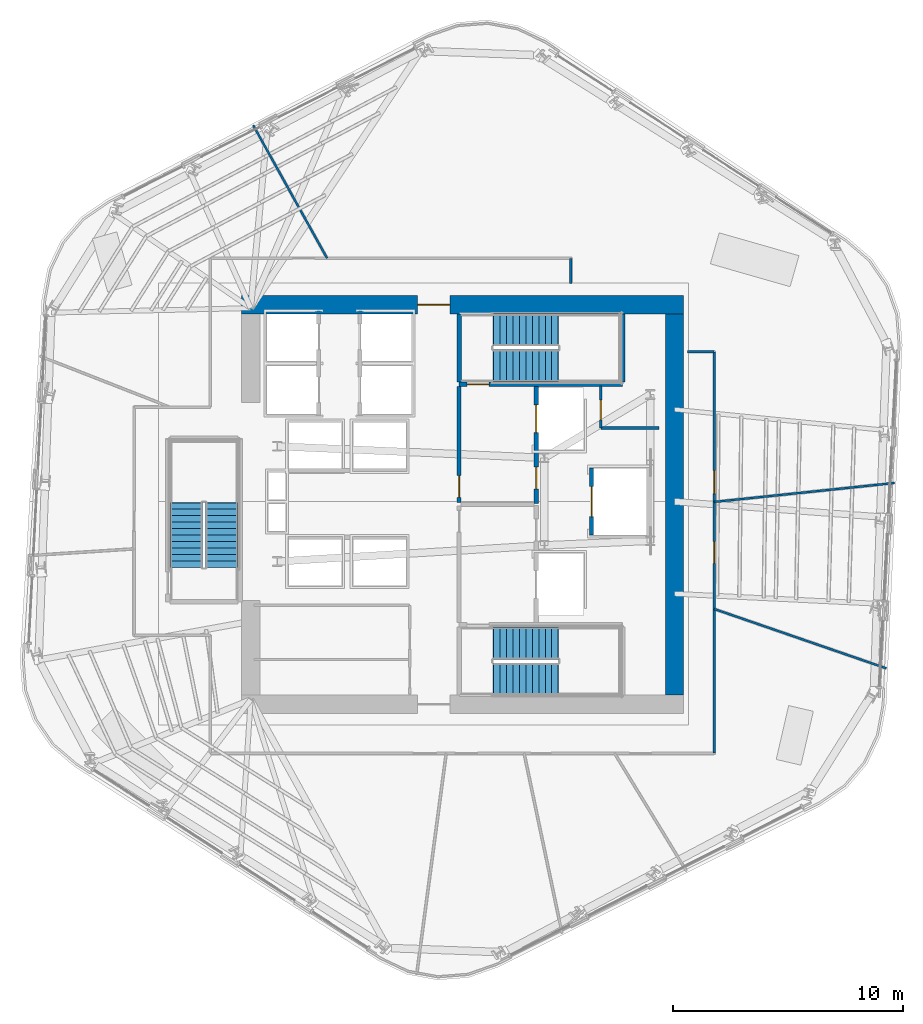
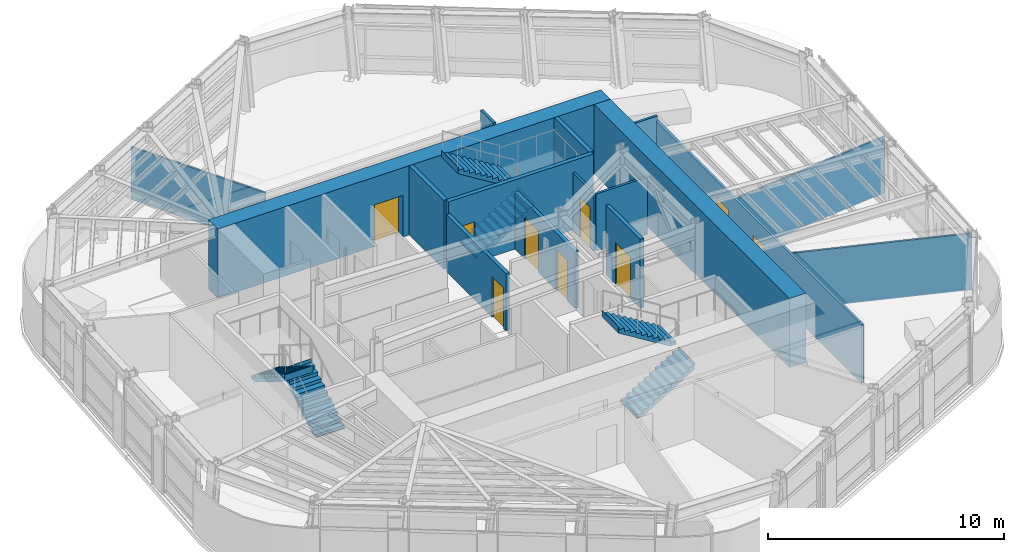
# One storey, part 8 of 14: 16 walls, 9 doors, 6 stair flights, 9 openings, 3 elements without a shape of their own.
"""IFC4 building model written with IfcOpenShell, lengths in metres."""

from ifc_helpers import new_model, si_unit, direction, frame, frame_2d, origin, place, context, subcontext, project, spatial, polyline, rectangle, outline, extrude, material, layer, layer_set, type_object, element, fill, aggregate, save


model = new_model("IFC4")

# Units and contexts
model_context = context("Model", 3, precision=1e-05, world=origin(), true_north=direction((0.0, 1.0)))
body_context = subcontext(model_context, "Body", "Model", "MODEL_VIEW")
ifc_project = project(units=[si_unit("LENGTHUNIT", "METRE"), si_unit("AREAUNIT", "SQUARE_METRE"), si_unit("VOLUMEUNIT", "CUBIC_METRE"), si_unit("PLANEANGLEUNIT", "RADIAN"), si_unit("MASSUNIT", "GRAM", prefix="KILO")], contexts=[model_context])

# Site, building, storey
site_placement = place(None, origin())
site = spatial("IfcSite", under=ifc_project, at=site_placement, CompositionType="ELEMENT")
building_placement = place(site_placement, origin())
building = spatial("IfcBuilding", under=site, at=building_placement, Name="Valkerne Bourse Tower", CompositionType="ELEMENT")
storey_placement = place(building_placement, frame((0.0, 0.0, 140.0)))
storey = spatial("IfcBuildingStorey", under=building, at=storey_placement, Name="L35", CompositionType="ELEMENT", Elevation=140.0)

# Wall, opening, door
ifc_material_1 = material(Name="Concrete C55/67", Category="concrete")
ifc_layer_1 = layer(ifc_material_1, 0.800048828125)
ifc_layer_set_1 = layer_set([ifc_layer_1], Name="Concrete C55/67")
wall_type_1 = type_object("IfcWallType", Name="W-CORE-800", PredefinedType="SHEAR", material=ifc_layer_set_1)
wall_1_placement = place(storey_placement, frame((37.199951171875, 35.550048828125, 0.0), z_axis=(0.0, 0.0, 1.0), x_axis=(1.0, 0.0, 0.0)))
wall_1 = element("IfcWall", 1, at=wall_1_placement, inside=storey, type_object=wall_type_1, Name="L35 Core Shear Wall NORTH", PredefinedType="SHEAR", context=body_context, shape_type="SweptSolid", body=[
    extrude(rectangle(XDim=19.199951171875, YDim=0.800048828125, at=frame_2d((9.60009765625, 0.0))), origin(), (0.0, 0.0, 1.0), 3.580078125),
])
opening_1_placement = place(wall_1_placement, frame((7.64990234375, 0.0, 0.0)))
opening_1 = element("IfcOpeningElement", 2, at=opening_1_placement, cuts=wall_1, Name="Opening D-PL-1400", PredefinedType="OPENING", context=body_context, shape_type="SweptSolid", body=[
    extrude(rectangle(XDim=1.39990234375, YDim=2.14990234375, at=frame_2d((0.699951171875, 1.074951171875))), frame((0.0, 0.409912109375, 0.0), z_axis=(0.0, -1.0, 0.0), x_axis=(1.0, 0.0, 0.0)), (0.0, 0.0, 1.0), 0.820068359375),
])
ifc_material_2 = material(Name="Galvanised Painted Steel", Category="steel")
door_type_1 = type_object("IfcDoorType", Name="DR-PLT-1400", OperationType="DOUBLE_DOOR_SINGLE_SWING", PredefinedType="DOOR", material=ifc_material_2)
door_1_placement = place(opening_1_placement, origin())
door_1 = element("IfcDoor", 3, at=door_1_placement, inside=storey, type_object=door_type_1, Name="L35 North Passenger Lift Hall Fire Door", OperationType="DOUBLE_DOOR_SINGLE_SWING", OverallHeight=2.14990234375, OverallWidth=1.39990234375, PredefinedType="DOOR", context=body_context, shape_type="SweptSolid", body=[
    extrude(rectangle(XDim=1.39990234375, YDim=2.14990234375, at=frame_2d((0.699951171875, 1.074951171875))), frame((0.0, 0.02490234375, 0.0), z_axis=(0.0, -1.0, 0.0), x_axis=(1.0, 0.0, 0.0)), (0.0, 0.0, 1.0), 0.050048828125),
])
fill(opening_1, door_1)

# Wall
wall_2_placement = place(storey_placement, frame((56.0, 18.60009765625, 0.0), z_axis=(0.0, 0.0, 1.0), x_axis=(0.0, 1.0, 0.0)))
element("IfcWall", 4, at=wall_2_placement, inside=storey, type_object=wall_type_1, Name="L35 Core Shear Wall EAST", PredefinedType="SHEAR", context=body_context, shape_type="SweptSolid", body=[
    extrude(rectangle(XDim=16.5498046875, YDim=0.800048828125, at=frame_2d((8.27490234375, 0.0))), origin(), (0.0, 0.0, 1.0), 3.580078125),
])

# Wall, opening, door
ifc_material_3 = material(Name="Gypsum Board Steel-Stud Partition", Category="steel")
ifc_layer_2 = layer(ifc_material_3, 0.117919921875)
ifc_layer_set_2 = layer_set([ifc_layer_2], Name="Gypsum Board Steel-Stud Partition")
wall_type_2 = type_object("IfcWallType", Name="W-CORR-140", PredefinedType="PARTITIONING", material=ifc_layer_set_2)
wall_3_placement = place(storey_placement, frame((52.800048828125, 30.199951171875, 0.0), z_axis=(0.0, 0.0, 1.0), x_axis=(0.0, 1.0, 0.0)))
wall_3 = element("IfcWall", 5, at=wall_3_placement, inside=storey, type_object=wall_type_2, Name="L35 Core NE Bay West Wall", PredefinedType="PARTITIONING", context=body_context, shape_type="SweptSolid", body=[
    extrude(rectangle(XDim=1.820068359375, YDim=0.117919921875, at=frame_2d((0.91015625, 0.0))), origin(), (0.0, 0.0, 1.0), 2.9580078125),
])
opening_2_placement = place(wall_3_placement, frame((0.35009765625, 0.0, 0.0)))
opening_2 = element("IfcOpeningElement", 6, at=opening_2_placement, cuts=wall_3, Name="Opening D-WC-900", PredefinedType="OPENING", context=body_context, shape_type="SweptSolid", body=[
    extrude(rectangle(XDim=0.860107421875, YDim=2.050048828125, at=frame_2d((0.43017578125, 1.02490234375))), frame((0.0, 0.06884765625, 0.0), z_axis=(0.0, -1.0, 0.0), x_axis=(1.0, 0.0, 0.0)), (0.0, 0.0, 1.0), 0.137939453125),
])
ifc_material_4 = material(Name="Architectural White Oak Timber", Category="wood")
door_type_2 = type_object("IfcDoorType", Name="DR-WC-900", OperationType="NOTDEFINED", PredefinedType="DOOR", material=ifc_material_4)
door_2_placement = place(opening_2_placement, origin())
door_2 = element("IfcDoor", 7, at=door_2_placement, inside=storey, type_object=door_type_2, Name="L35 Electrical Closet Door", OperationType="SINGLE_SWING_RIGHT", OverallHeight=2.050048828125, OverallWidth=0.860107421875, PredefinedType="DOOR", context=body_context, shape_type="SweptSolid", body=[
    extrude(rectangle(XDim=0.860107421875, YDim=2.050048828125, at=frame_2d((0.43017578125, 1.02490234375))), frame((0.0, 0.02490234375, 0.0), z_axis=(0.0, -1.0, 0.0), x_axis=(1.0, 0.0, 0.0)), (0.0, 0.0, 1.0), 0.050048828125),
])
fill(opening_2, door_2)

# Walls
wall_4_placement = place(storey_placement, frame((52.800048828125, 30.199951171875, 0.0), z_axis=(0.0, 0.0, 1.0), x_axis=(1.0, 0.0, 0.0)))
element("IfcWall", 8, at=wall_4_placement, inside=storey, type_object=wall_type_2, Name="L35 Core NE Bay South Wall", PredefinedType="PARTITIONING", context=body_context, shape_type="SweptSolid", body=[
    extrude(rectangle(XDim=2.52001953125, YDim=0.117919921875, at=frame_2d((1.260009765625, 0.0))), origin(), (0.0, 0.0, 1.0), 2.9580078125),
])
wall_5_placement = place(storey_placement, frame((51.5, 37.56005859375, 0.0), z_axis=(0.0, 0.0, 1.0), x_axis=(0.0, -1.0, 0.0)))
element("IfcWall", 9, at=wall_5_placement, inside=storey, type_object=wall_type_2, Name="L35 Corridor Enclosure Wall", PredefinedType="PARTITIONING", context=body_context, shape_type="SweptSolid", body=[
    extrude(rectangle(XDim=1.10009765625, YDim=0.117919921875, at=frame_2d((0.550048828125, 0.0))), origin(), (0.0, 0.0, 1.0), 3.280029296875),
])
wall_6_placement = place(storey_placement, frame((56.56005859375, 33.5, 0.0), z_axis=(0.0, 0.0, 1.0), x_axis=(1.0, 0.0, 0.0)))
element("IfcWall", 10, at=wall_6_placement, inside=storey, type_object=wall_type_2, Name="L35 Corridor Enclosure Wall", PredefinedType="PARTITIONING", context=body_context, shape_type="SweptSolid", body=[
    extrude(rectangle(XDim=1.159912109375, YDim=0.117919921875, at=frame_2d((0.580078125, 0.0))), origin(), (0.0, 0.0, 1.0), 3.280029296875),
])

# Wall, openings, doors
wall_7_placement = place(storey_placement, frame((57.719970703125, 33.5, 0.0), z_axis=(0.0, 0.0, 1.0), x_axis=(0.0, -1.0, 0.0)))
wall_7 = element("IfcWall", 11, at=wall_7_placement, inside=storey, type_object=wall_type_2, Name="L35 Corridor Enclosure Wall", PredefinedType="PARTITIONING", context=body_context, shape_type="SweptSolid", body=[
    extrude(rectangle(XDim=17.419921875, YDim=0.117919921875, at=frame_2d((8.7099609375, 0.0))), origin(), (0.0, 0.0, 1.0), 3.03662109375),
])
opening_3_placement = place(wall_7_placement, frame((8.235107421875, 0.0, 0.0)))
opening_3 = element("IfcOpeningElement", 12, at=opening_3_placement, cuts=wall_7, Name="Opening D-OF-950", PredefinedType="OPENING", context=body_context, shape_type="SweptSolid", body=[
    extrude(rectangle(XDim=0.949951171875, YDim=2.10009765625, at=frame_2d((0.47509765625, 1.050048828125))), frame((0.0, 0.06884765625, 0.0), z_axis=(0.0, -1.0, 0.0), x_axis=(1.0, 0.0, 0.0)), (0.0, 0.0, 1.0), 0.137939453125),
])
opening_4_placement = place(wall_7_placement, frame((5.14990234375, 0.0, 0.0)))
opening_4 = element("IfcOpeningElement", 13, at=opening_4_placement, cuts=wall_7, Name="Opening D-MG-1000", PredefinedType="OPENING", context=body_context, shape_type="SweptSolid", body=[
    extrude(rectangle(XDim=1.0, YDim=2.14990234375, at=frame_2d((0.5, 1.074951171875))), frame((0.0, 0.06884765625, 0.0), z_axis=(0.0, -1.0, 0.0), x_axis=(1.0, 0.0, 0.0)), (0.0, 0.0, 1.0), 0.137939453125),
])
ifc_material_5 = material(Name="Laminated Tempered Safety Glass", Category="glass")
door_type_3 = type_object("IfcDoorType", Name="DR-MTG-1000", OperationType="NOTDEFINED", PredefinedType="DOOR", material=ifc_material_5)
door_3_placement = place(opening_4_placement, origin())
door_3 = element("IfcDoor", 14, at=door_3_placement, inside=storey, type_object=door_type_3, Name="L35 L35 Client Strategy Conference Room 8 Door", OperationType="SINGLE_SWING_LEFT", OverallHeight=2.14990234375, OverallWidth=1.0, PredefinedType="DOOR", context=body_context, shape_type="SweptSolid", body=[
    extrude(rectangle(XDim=1.0, YDim=2.14990234375, at=frame_2d((0.5, 1.074951171875))), frame((0.0, 0.02490234375, 0.0), z_axis=(0.0, -1.0, 0.0), x_axis=(1.0, 0.0, 0.0)), (0.0, 0.0, 1.0), 0.050048828125),
])
fill(opening_4, door_3)
door_type_4 = type_object("IfcDoorType", Name="DR-OFF-950", OperationType="NOTDEFINED", PredefinedType="DOOR", material=ifc_material_4)
door_4_placement = place(opening_3_placement, origin())
door_4 = element("IfcDoor", 15, at=door_4_placement, inside=storey, type_object=door_type_4, Name="L35 L35 Occupational Wellness Clinic 4 Door", OperationType="SINGLE_SWING_RIGHT", OverallHeight=2.10009765625, OverallWidth=0.949951171875, PredefinedType="DOOR", context=body_context, shape_type="SweptSolid", body=[
    extrude(rectangle(XDim=0.949951171875, YDim=2.10009765625, at=frame_2d((0.47509765625, 1.050048828125))), frame((0.0, 0.02490234375, 0.0), z_axis=(0.0, -1.0, 0.0), x_axis=(1.0, 0.0, 0.0)), (0.0, 0.0, 1.0), 0.050048828125),
])
fill(opening_3, door_4)

# Wall, opening, door
ifc_material_6 = material(Name="Gypsum Fire-Rated Shaftwall", Category="gypsum")
ifc_layer_3 = layer(ifc_material_6, 0.179931640625)
ifc_layer_set_3 = layer_set([ifc_layer_3], Name="Gypsum Fire-Rated Shaftwall")
wall_type_3 = type_object("IfcWallType", Name="W-FSAE-180", PredefinedType="PARTITIONING", material=ifc_layer_set_3)
wall_8_placement = place(storey_placement, frame((46.64990234375, 26.9599609375, 0.0), z_axis=(0.0, 0.0, 1.0), x_axis=(0.0, 1.0, 0.0)))
wall_8 = element("IfcWall", 16, at=wall_8_placement, inside=storey, type_object=wall_type_3, Name="L35 FSAE-2 Lobby West Fire Wall", PredefinedType="PARTITIONING", context=body_context, shape_type="SweptSolid", body=[
    extrude(rectangle(XDim=5.0400390625, YDim=0.179931640625, at=frame_2d((2.52001953125, 0.0))), origin(), (0.0, 0.0, 1.0), 2.9580078125),
])
opening_5_placement = place(wall_8_placement, frame((0.219970703125, 0.0, 0.0)))
opening_5 = element("IfcOpeningElement", 17, at=opening_5_placement, cuts=wall_8, Name="Opening D-FS-950", PredefinedType="OPENING", context=body_context, shape_type="SweptSolid", body=[
    extrude(rectangle(XDim=0.949951171875, YDim=2.10009765625, at=frame_2d((0.47509765625, 1.050048828125))), frame((0.0, 0.099853515625, 0.0), z_axis=(0.0, -1.0, 0.0), x_axis=(1.0, 0.0, 0.0)), (0.0, 0.0, 1.0), 0.199951171875),
])
door_type_5 = type_object("IfcDoorType", Name="DR-FSAE-950", OperationType="NOTDEFINED", PredefinedType="DOOR", material=ifc_material_2)
door_5_placement = place(opening_5_placement, origin())
door_5 = element("IfcDoor", 18, at=door_5_placement, inside=storey, type_object=door_type_5, Name="L35 FSAE-2 Hall Link Fire Door", OperationType="SINGLE_SWING_LEFT", OverallHeight=2.10009765625, OverallWidth=0.949951171875, PredefinedType="DOOR", context=body_context, shape_type="SweptSolid", body=[
    extrude(rectangle(XDim=0.949951171875, YDim=2.10009765625, at=frame_2d((0.47509765625, 1.050048828125))), frame((0.0, 0.02490234375, 0.0), z_axis=(0.0, -1.0, 0.0), x_axis=(1.0, 0.0, 0.0)), (0.0, 0.0, 1.0), 0.050048828125),
])
fill(opening_5, door_5)

# Wall, openings, doors
wall_9_placement = place(storey_placement, frame((50.0, 26.919921875, 0.0), z_axis=(0.0, 0.0, 1.0), x_axis=(0.0, 1.0, 0.0)))
wall_9 = element("IfcWall", 19, at=wall_9_placement, inside=storey, type_object=wall_type_3, Name="L35 FSAE-2 Lobby & Shaft Front Wall", PredefinedType="PARTITIONING", context=body_context, shape_type="SweptSolid", body=[
    extrude(rectangle(XDim=5.080078125, YDim=0.179931640625, at=frame_2d((2.5400390625, 0.0))), origin(), (0.0, 0.0, 1.0), 2.9580078125),
])
opening_6_placement = place(wall_9_placement, frame((3.080078125, 0.0, 0.0)))
opening_6 = element("IfcOpeningElement", 20, at=opening_6_placement, cuts=wall_9, Name="Opening LD-1200", PredefinedType="OPENING", context=body_context, shape_type="SweptSolid", body=[
    extrude(rectangle(XDim=1.199951171875, YDim=2.14990234375, at=frame_2d((0.60009765625, 1.074951171875))), frame((0.0, 0.099853515625, 0.0), z_axis=(0.0, -1.0, 0.0), x_axis=(1.0, 0.0, 0.0)), (0.0, 0.0, 1.0), 0.199951171875),
])
opening_7_placement = place(wall_9_placement, frame((0.6298828125, 0.0, 0.0)))
opening_7 = element("IfcOpeningElement", 21, at=opening_7_placement, cuts=wall_9, Name="Opening D-FS-950", PredefinedType="OPENING", context=body_context, shape_type="SweptSolid", body=[
    extrude(rectangle(XDim=0.949951171875, YDim=2.10009765625, at=frame_2d((0.47509765625, 1.050048828125))), frame((0.0, 0.099853515625, 0.0), z_axis=(0.0, -1.0, 0.0), x_axis=(1.0, 0.0, 0.0)), (0.0, 0.0, 1.0), 0.199951171875),
])
door_6_placement = place(opening_7_placement, origin())
door_6 = element("IfcDoor", 22, at=door_6_placement, inside=storey, type_object=door_type_5, Name="L35 FSAE-2 Lobby Corridor Fire Door", OperationType="SINGLE_SWING_LEFT", OverallHeight=2.10009765625, OverallWidth=0.949951171875, PredefinedType="DOOR", context=body_context, shape_type="SweptSolid", body=[
    extrude(rectangle(XDim=0.949951171875, YDim=2.10009765625, at=frame_2d((0.47509765625, 1.050048828125))), frame((0.0, 0.02490234375, 0.0), z_axis=(0.0, -1.0, 0.0), x_axis=(1.0, 0.0, 0.0)), (0.0, 0.0, 1.0), 0.050048828125),
])
fill(opening_7, door_6)
ifc_material_7 = material(Name="Stainless Steel AISI 316", Category="steel")
door_type_6 = type_object("IfcDoorType", Name="DR-LIFT-1200", OperationType="DOUBLE_DOOR_SLIDING", PredefinedType="DOOR", material=ifc_material_7)
door_7_placement = place(opening_6_placement, origin())
door_7 = element("IfcDoor", 23, at=door_7_placement, inside=storey, type_object=door_type_6, Name="L35 FSAE-2 Firefighting Lift Landing Door", OperationType="DOUBLE_DOOR_SLIDING", OverallHeight=2.14990234375, OverallWidth=1.199951171875, PredefinedType="DOOR", context=body_context, shape_type="SweptSolid", body=[
    extrude(rectangle(XDim=1.199951171875, YDim=2.14990234375, at=frame_2d((0.60009765625, 1.074951171875))), frame((0.0, 0.02490234375, 0.0), z_axis=(0.0, -1.0, 0.0), x_axis=(1.0, 0.0, 0.0)), (0.0, 0.0, 1.0), 0.050048828125),
])
fill(opening_6, door_7)

# Wall, opening, door
ifc_material_8 = material(Name="CMU Blockwork Masonry 200mm", Category="masonry")
ifc_layer_4 = layer(ifc_material_8, 0.179931640625)
ifc_layer_set_4 = layer_set([ifc_layer_4], Name="CMU Blockwork Masonry 200mm")
wall_type_4 = type_object("IfcWallType", Name="W-LFT-180", PredefinedType="SOLIDWALL", material=ifc_layer_set_4)
wall_10_placement = place(storey_placement, frame((52.39990234375, 25.550048828125, 0.0), z_axis=(0.0, 0.0, 1.0), x_axis=(0.0, 1.0, 0.0)))
wall_10 = element("IfcWall", 24, at=wall_10_placement, inside=storey, type_object=wall_type_4, Name="L35 Service Lift SV-1 Front Wall", PredefinedType="SOLIDWALL", context=body_context, shape_type="SweptSolid", body=[
    extrude(rectangle(XDim=2.89990234375, YDim=0.179931640625, at=frame_2d((1.449951171875, 0.0))), origin(), (0.0, 0.0, 1.0), 3.580078125),
])
opening_8_placement = place(wall_10_placement, frame((0.800048828125, 0.0, 0.0)))
opening_8 = element("IfcOpeningElement", 25, at=opening_8_placement, cuts=wall_10, Name="Opening LD-1300", PredefinedType="OPENING", context=body_context, shape_type="SweptSolid", body=[
    extrude(rectangle(XDim=1.300048828125, YDim=2.14990234375, at=frame_2d((0.64990234375, 1.074951171875))), frame((0.0, 0.099853515625, 0.0), z_axis=(0.0, -1.0, 0.0), x_axis=(1.0, 0.0, 0.0)), (0.0, 0.0, 1.0), 0.199951171875),
])
door_type_7 = type_object("IfcDoorType", Name="DR-LIFT-1300", OperationType="DOUBLE_DOOR_SLIDING", PredefinedType="DOOR", material=ifc_material_7)
door_8_placement = place(opening_8_placement, origin())
door_8 = element("IfcDoor", 26, at=door_8_placement, inside=storey, type_object=door_type_7, Name="L35 Service Lift SV-1 Landing Door", OperationType="DOUBLE_DOOR_SLIDING", OverallHeight=2.14990234375, OverallWidth=1.300048828125, PredefinedType="DOOR", context=body_context, shape_type="SweptSolid", body=[
    extrude(rectangle(XDim=1.300048828125, YDim=2.14990234375, at=frame_2d((0.64990234375, 1.074951171875))), frame((0.0, 0.02490234375, 0.0), z_axis=(0.0, -1.0, 0.0), x_axis=(1.0, 0.0, 0.0)), (0.0, 0.0, 1.0), 0.050048828125),
])
fill(opening_8, door_8)

# Walls
ifc_layer_5 = layer(ifc_material_3, 0.092041015625)
ifc_layer_set_5 = layer_set([ifc_layer_5], Name="Gypsum Board Steel-Stud Partition")
wall_type_5 = type_object("IfcWallType", Name="W-PART-115", PredefinedType="PARTITIONING", material=ifc_layer_set_5)
wall_11_placement = place(storey_placement, frame((57.72509765625, 22.338623046875, 0.0), z_axis=(0.0, 0.0, 1.0), x_axis=(0.94534932706, -0.326059273488, 0.0)))
element("IfcWall", 27, at=wall_11_placement, inside=storey, type_object=wall_type_5, Name="L35 Suite Partition P04", PredefinedType="PARTITIONING", context=body_context, shape_type="SweptSolid", body=[
    extrude(rectangle(XDim=7.89794921875, YDim=0.092041015625, at=frame_2d((3.948974609375, 0.0))), origin(), (0.0, 0.0, 1.0), 2.92236328125),
])
wall_12_placement = place(storey_placement, frame((57.72509765625, 26.98583984375, 0.0), z_axis=(0.0, 0.0, 1.0), x_axis=(0.994515478761, 0.104589495193, 0.0)))
element("IfcWall", 28, at=wall_12_placement, inside=storey, type_object=wall_type_5, Name="L35 Suite Partition P05", PredefinedType="PARTITIONING", context=body_context, shape_type="SweptSolid", body=[
    extrude(rectangle(XDim=7.868896484375, YDim=0.092041015625, at=frame_2d((3.9345703125, 0.0))), origin(), (0.0, 0.0, 1.0), 2.92236328125),
])
wall_13_placement = place(storey_placement, frame((40.91796875, 37.56494140625, 0.0), z_axis=(0.0, 0.0, 1.0), x_axis=(-0.485724444927, 0.874111985732, 0.0)))
element("IfcWall", 29, at=wall_13_placement, inside=storey, type_object=wall_type_5, Name="L35 Suite Partition P06", PredefinedType="PARTITIONING", context=body_context, shape_type="SweptSolid", body=[
    extrude(rectangle(XDim=6.611572265625, YDim=0.092041015625, at=frame_2d((3.3056640625, 0.0))), origin(), (0.0, 0.0, 1.0), 2.711669921875),
])

# Wall, opening, door
ifc_material_9 = material(Name="Concrete C40/50", Category="concrete")
ifc_layer_6 = layer(ifc_material_9, 0.199951171875)
ifc_layer_set_6 = layer_set([ifc_layer_6], Name="Concrete C40/50")
wall_type_6 = type_object("IfcWallType", Name="W-SHF-200", PredefinedType="SHEAR", material=ifc_layer_set_6)
wall_14_placement = place(storey_placement, frame((46.64990234375, 32.10009765625, 0.0), z_axis=(0.0, 0.0, 1.0), x_axis=(1.0, 0.0, 0.0)))
wall_14 = element("IfcWall", 30, at=wall_14_placement, inside=storey, type_object=wall_type_6, Name="L35 Exit Stair ST-2 Structural Shaft Wall South", PredefinedType="SHEAR", context=body_context, shape_type="SweptSolid", body=[
    extrude(rectangle(XDim=7.10009765625, YDim=0.199951171875, at=frame_2d((3.550048828125, 0.0))), origin(), (0.0, 0.0, 1.0), 3.580078125),
])
opening_9_placement = place(wall_14_placement, frame((0.35009765625, 0.0, 0.0)))
opening_9 = element("IfcOpeningElement", 31, at=opening_9_placement, cuts=wall_14, Name="Opening D-ST-950", PredefinedType="OPENING", context=body_context, shape_type="SweptSolid", body=[
    extrude(rectangle(XDim=0.949951171875, YDim=2.10009765625, at=frame_2d((0.47509765625, 1.050048828125))), frame((0.0, 0.10986328125, 0.0), z_axis=(0.0, -1.0, 0.0), x_axis=(1.0, 0.0, 0.0)), (0.0, 0.0, 1.0), 0.219970703125),
])
door_type_8 = type_object("IfcDoorType", Name="DR-STAIR-950", OperationType="NOTDEFINED", PredefinedType="DOOR", material=ifc_material_2)
door_9_placement = place(opening_9_placement, origin())
door_9 = element("IfcDoor", 32, at=door_9_placement, inside=storey, type_object=door_type_8, Name="L35 Exit Stair ST-2 Door", OperationType="SINGLE_SWING_LEFT", OverallHeight=2.10009765625, OverallWidth=0.949951171875, PredefinedType="DOOR", context=body_context, shape_type="SweptSolid", body=[
    extrude(rectangle(XDim=0.949951171875, YDim=2.10009765625, at=frame_2d((0.47509765625, 1.050048828125))), frame((0.0, 0.02490234375, 0.0), z_axis=(0.0, -1.0, 0.0), x_axis=(1.0, 0.0, 0.0)), (0.0, 0.0, 1.0), 0.050048828125),
])
fill(opening_9, door_9)

# Walls
for number, where, z_axis, x_axis, name in (
    (33, (46.64990234375, 32.199951171875, 0.0), (0.0, 0.0, 1.0), (0.0, 1.0, 0.0), "L35 Exit Stair ST-2 Structural Shaft Wall West"),
    (34, (53.75, 32.199951171875, 0.0), (0.0, 0.0, 1.0), (0.0, 1.0, 0.0), "L35 Exit Stair ST-2 Structural Shaft Wall East"),
):
    element("IfcWall", number, at=place(storey_placement, frame(where, z_axis=z_axis, x_axis=x_axis)), inside=storey, type_object=wall_type_6, Name=name, PredefinedType="SHEAR", context=body_context, shape_type="SweptSolid", body=[
        extrude(rectangle(XDim=2.949951171875, YDim=0.199951171875, at=frame_2d((1.47509765625, 0.0))), origin(), (0.0, 0.0, 1.0), 3.580078125),
    ])

# Stair, stair flights
stair_type = type_object("IfcStairType", Name="ST-CORE-1400", PredefinedType="HALF_TURN_STAIR", material=ifc_material_9)
stair_1_placement = place(storey_placement, origin())
stair_1 = element("IfcStair", 35, at=stair_1_placement, inside=storey, type_object=stair_type, Name="L35 ST-1", PredefinedType="HALF_TURN_STAIR")
stair_flight_type = type_object("IfcStairFlightType", Name="STF-CORE-1400", PredefinedType="STRAIGHT", material=ifc_material_9)
stair_flight_1_placement = place(storey_placement, frame((48.14990234375, 19.300048828125, 0.0), z_axis=(0.0, 0.0, 1.0), x_axis=(1.0, 0.0, 0.0)))
stair_flight_1 = element("IfcStairFlight", 36, at=stair_flight_1_placement, type_object=stair_flight_type, Name="ST-1 flight 1", NumberOfRisers=11, NumberOfTreads=10, PredefinedType="STRAIGHT", RiserHeight=0.172727273, TreadLength=0.28, context=body_context, shape_type="SweptSolid", body=[
    extrude(outline(polyline([(-0.02001953125, 0.0), (-0.02001953125, 0.044921875), (0.0, 0.044921875), (0.0, 0.172607421875), (0.280029296875, 0.172607421875), (0.280029296875, 0.345458984375), (0.56005859375, 0.345458984375), (0.56005859375, 0.51806640625), (0.840087890625, 0.51806640625), (0.840087890625, 0.69091796875), (1.1201171875, 0.69091796875), (1.1201171875, 0.863525390625), (1.39990234375, 0.863525390625), (1.39990234375, 1.036376953125), (1.679931640625, 1.036376953125), (1.679931640625, 1.208984375), (1.9599609375, 1.208984375), (1.9599609375, 1.3818359375), (2.239990234375, 1.3818359375), (2.239990234375, 1.554443359375), (2.52001953125, 1.554443359375), (2.52001953125, 1.727294921875), (2.800048828125, 1.727294921875), (2.800048828125, 1.89990234375), (2.820068359375, 1.89990234375), (2.820068359375, 1.780029296875), (2.800048828125, 1.551025390625), (0.285400390625, 0.0), (-0.02001953125, 0.0)])), frame((0.0, 0.699951171875, 0.0), z_axis=(0.0, -1.0, 0.0), x_axis=(1.0, 0.0, 0.0)), (0.0, 0.0, 1.0), 1.39990234375),
])
stair_flight_2_placement = place(storey_placement, frame((50.949951171875, 20.85009765625, 1.89990234375), z_axis=(0.0, 0.0, 1.0), x_axis=(-1.0, 0.0, 0.0)))
stair_flight_2 = element("IfcStairFlight", 37, at=stair_flight_2_placement, type_object=stair_flight_type, Name="ST-1 flight 2", NumberOfRisers=11, NumberOfTreads=10, PredefinedType="STRAIGHT", RiserHeight=0.172727273, TreadLength=0.28, context=body_context, shape_type="SweptSolid", body=[
    extrude(outline(polyline([(-0.02001953125, 0.0), (-0.02001953125, 0.044921875), (0.0, 0.044921875), (0.0, 0.172607421875), (0.280029296875, 0.172607421875), (0.280029296875, 0.345458984375), (0.56005859375, 0.345458984375), (0.56005859375, 0.51806640625), (0.840087890625, 0.51806640625), (0.840087890625, 0.69091796875), (1.1201171875, 0.69091796875), (1.1201171875, 0.863525390625), (1.39990234375, 0.863525390625), (1.39990234375, 1.036376953125), (1.679931640625, 1.036376953125), (1.679931640625, 1.208984375), (1.9599609375, 1.208984375), (1.9599609375, 1.3818359375), (2.239990234375, 1.3818359375), (2.239990234375, 1.554443359375), (2.52001953125, 1.554443359375), (2.52001953125, 1.727294921875), (2.800048828125, 1.727294921875), (2.800048828125, 1.89990234375), (2.820068359375, 1.89990234375), (2.820068359375, 1.780029296875), (2.800048828125, 1.551025390625), (0.285400390625, 0.0), (-0.02001953125, 0.0)])), frame((0.0, 0.699951171875, 0.0), z_axis=(0.0, -1.0, 0.0), x_axis=(1.0, 0.0, 0.0)), (0.0, 0.0, 1.0), 1.39990234375),
])
aggregate(stair_1, [stair_flight_1, stair_flight_2])

stair_2_placement = place(storey_placement, origin())
stair_2 = element("IfcStair", 38, at=stair_2_placement, inside=storey, type_object=stair_type, Name="L35 ST-2", PredefinedType="HALF_TURN_STAIR")
stair_flight_3_placement = place(storey_placement, frame((48.14990234375, 32.89990234375, 0.0), z_axis=(0.0, 0.0, 1.0), x_axis=(1.0, 0.0, 0.0)))
stair_flight_3 = element("IfcStairFlight", 39, at=stair_flight_3_placement, type_object=stair_flight_type, Name="ST-2 flight 1", NumberOfRisers=11, NumberOfTreads=10, PredefinedType="STRAIGHT", RiserHeight=0.172727273, TreadLength=0.28, context=body_context, shape_type="SweptSolid", body=[
    extrude(outline(polyline([(-0.02001953125, 0.0), (-0.02001953125, 0.044921875), (0.0, 0.044921875), (0.0, 0.172607421875), (0.280029296875, 0.172607421875), (0.280029296875, 0.345458984375), (0.56005859375, 0.345458984375), (0.56005859375, 0.51806640625), (0.840087890625, 0.51806640625), (0.840087890625, 0.69091796875), (1.1201171875, 0.69091796875), (1.1201171875, 0.863525390625), (1.39990234375, 0.863525390625), (1.39990234375, 1.036376953125), (1.679931640625, 1.036376953125), (1.679931640625, 1.208984375), (1.9599609375, 1.208984375), (1.9599609375, 1.3818359375), (2.239990234375, 1.3818359375), (2.239990234375, 1.554443359375), (2.52001953125, 1.554443359375), (2.52001953125, 1.727294921875), (2.800048828125, 1.727294921875), (2.800048828125, 1.89990234375), (2.820068359375, 1.89990234375), (2.820068359375, 1.780029296875), (2.800048828125, 1.551025390625), (0.285400390625, 0.0), (-0.02001953125, 0.0)])), frame((0.0, 0.699951171875, 0.0), z_axis=(0.0, -1.0, 0.0), x_axis=(1.0, 0.0, 0.0)), (0.0, 0.0, 1.0), 1.39990234375),
])
stair_flight_4_placement = place(storey_placement, frame((50.949951171875, 34.449951171875, 1.89990234375), z_axis=(0.0, 0.0, 1.0), x_axis=(-1.0, 0.0, 0.0)))
stair_flight_4 = element("IfcStairFlight", 40, at=stair_flight_4_placement, type_object=stair_flight_type, Name="ST-2 flight 2", NumberOfRisers=11, NumberOfTreads=10, PredefinedType="STRAIGHT", RiserHeight=0.172727273, TreadLength=0.28, context=body_context, shape_type="SweptSolid", body=[
    extrude(outline(polyline([(-0.02001953125, 0.0), (-0.02001953125, 0.044921875), (0.0, 0.044921875), (0.0, 0.172607421875), (0.280029296875, 0.172607421875), (0.280029296875, 0.345458984375), (0.56005859375, 0.345458984375), (0.56005859375, 0.51806640625), (0.840087890625, 0.51806640625), (0.840087890625, 0.69091796875), (1.1201171875, 0.69091796875), (1.1201171875, 0.863525390625), (1.39990234375, 0.863525390625), (1.39990234375, 1.036376953125), (1.679931640625, 1.036376953125), (1.679931640625, 1.208984375), (1.9599609375, 1.208984375), (1.9599609375, 1.3818359375), (2.239990234375, 1.3818359375), (2.239990234375, 1.554443359375), (2.52001953125, 1.554443359375), (2.52001953125, 1.727294921875), (2.800048828125, 1.727294921875), (2.800048828125, 1.89990234375), (2.820068359375, 1.89990234375), (2.820068359375, 1.780029296875), (2.800048828125, 1.551025390625), (0.285400390625, 0.0), (-0.02001953125, 0.0)])), frame((0.0, 0.699951171875, 0.0), z_axis=(0.0, -1.0, 0.0), x_axis=(1.0, 0.0, 0.0)), (0.0, 0.0, 1.0), 1.39990234375),
])
aggregate(stair_2, [stair_flight_3, stair_flight_4])

stair_3_placement = place(storey_placement, origin())
stair_3 = element("IfcStair", 41, at=stair_3_placement, inside=storey, type_object=stair_type, Name="L35 ST-3", PredefinedType="HALF_TURN_STAIR")
stair_flight_5_placement = place(storey_placement, frame((36.35009765625, 24.14990234375, 0.0), z_axis=(0.0, 0.0, 1.0), x_axis=(0.0, 1.0, 0.0)))
stair_flight_5 = element("IfcStairFlight", 42, at=stair_flight_5_placement, type_object=stair_flight_type, Name="ST-3 flight 1", NumberOfRisers=11, NumberOfTreads=10, PredefinedType="STRAIGHT", RiserHeight=0.172727273, TreadLength=0.28, context=body_context, shape_type="SweptSolid", body=[
    extrude(outline(polyline([(-0.02001953125, 0.0), (-0.02001953125, 0.044921875), (0.0, 0.044921875), (0.0, 0.172607421875), (0.280029296875, 0.172607421875), (0.280029296875, 0.345458984375), (0.56005859375, 0.345458984375), (0.56005859375, 0.51806640625), (0.840087890625, 0.51806640625), (0.840087890625, 0.69091796875), (1.1201171875, 0.69091796875), (1.1201171875, 0.863525390625), (1.39990234375, 0.863525390625), (1.39990234375, 1.036376953125), (1.679931640625, 1.036376953125), (1.679931640625, 1.208984375), (1.9599609375, 1.208984375), (1.9599609375, 1.3818359375), (2.239990234375, 1.3818359375), (2.239990234375, 1.554443359375), (2.52001953125, 1.554443359375), (2.52001953125, 1.727294921875), (2.800048828125, 1.727294921875), (2.800048828125, 1.89990234375), (2.820068359375, 1.89990234375), (2.820068359375, 1.780029296875), (2.800048828125, 1.551025390625), (0.285400390625, 0.0), (-0.02001953125, 0.0)])), frame((0.0, 0.699951171875, 0.0), z_axis=(0.0, -1.0, 0.0), x_axis=(1.0, 0.0, 0.0)), (0.0, 0.0, 1.0), 1.39990234375),
])
stair_flight_6_placement = place(storey_placement, frame((34.800048828125, 26.949951171875, 1.89990234375), z_axis=(0.0, 0.0, 1.0), x_axis=(0.0, -1.0, 0.0)))
stair_flight_6 = element("IfcStairFlight", 43, at=stair_flight_6_placement, type_object=stair_flight_type, Name="ST-3 flight 2", NumberOfRisers=11, NumberOfTreads=10, PredefinedType="STRAIGHT", RiserHeight=0.172727273, TreadLength=0.28, context=body_context, shape_type="SweptSolid", body=[
    extrude(outline(polyline([(-0.02001953125, 0.0), (-0.02001953125, 0.044921875), (0.0, 0.044921875), (0.0, 0.172607421875), (0.280029296875, 0.172607421875), (0.280029296875, 0.345458984375), (0.56005859375, 0.345458984375), (0.56005859375, 0.51806640625), (0.840087890625, 0.51806640625), (0.840087890625, 0.69091796875), (1.1201171875, 0.69091796875), (1.1201171875, 0.863525390625), (1.39990234375, 0.863525390625), (1.39990234375, 1.036376953125), (1.679931640625, 1.036376953125), (1.679931640625, 1.208984375), (1.9599609375, 1.208984375), (1.9599609375, 1.3818359375), (2.239990234375, 1.3818359375), (2.239990234375, 1.554443359375), (2.52001953125, 1.554443359375), (2.52001953125, 1.727294921875), (2.800048828125, 1.727294921875), (2.800048828125, 1.89990234375), (2.820068359375, 1.89990234375), (2.820068359375, 1.780029296875), (2.800048828125, 1.551025390625), (0.285400390625, 0.0), (-0.02001953125, 0.0)])), frame((0.0, 0.699951171875, 0.0), z_axis=(0.0, -1.0, 0.0), x_axis=(1.0, 0.0, 0.0)), (0.0, 0.0, 1.0), 1.39990234375),
])
aggregate(stair_3, [stair_flight_5, stair_flight_6])

save(model, "model.ifc")
